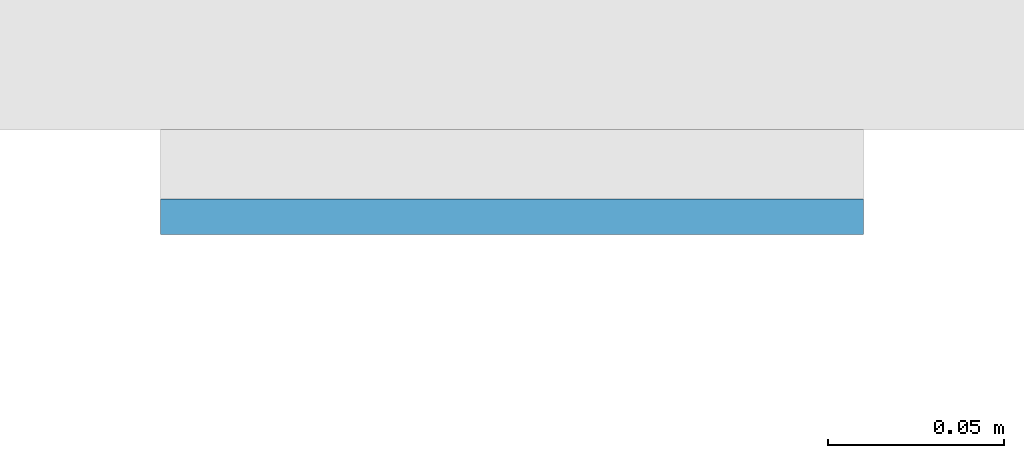
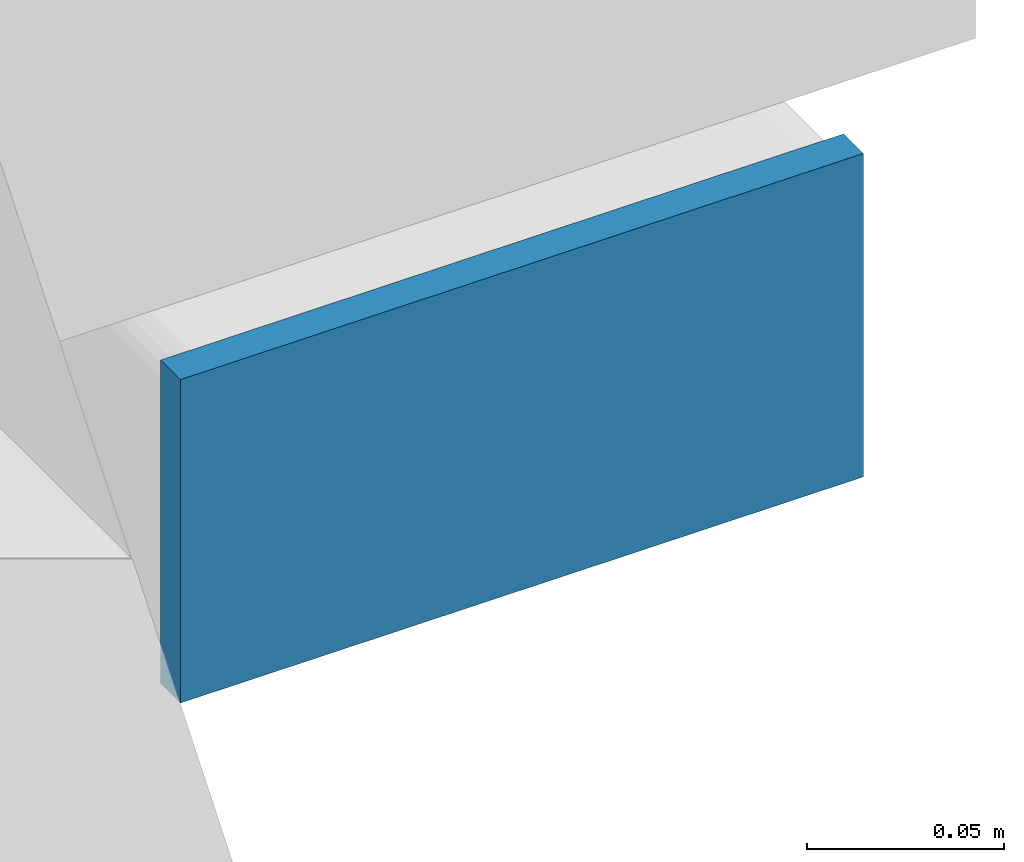
# One storey, part 7 of 15: 1 plate.
"""IFC4 building model written with IfcOpenShell, lengths in metres."""

import ifcopenshell
import ifcopenshell.guid

model = None  # the IFC model being written
_history = None  # IfcOwnerHistory: only IFC2X3 demands one
_inside = {}  # id of a spatial element -> (the spatial element, [elements in it])
_under = {}  # id of a project, library or spatial element -> (it, [spatial elements below it])
_declared = {}  # id of a project -> (the project, [libraries it declares])
_typed = {}  # id of a type object -> (the type object, [elements of that type])
_made_of = {}  # id of a material, layer set ... -> (it, [elements and type objects made of it])


def new_model(schema):
    """Start an empty IFC model of exactly this schema.

    Asked for "IFC4X3", IfcOpenShell would pick the latest addendum, in which some entities
    have other attributes; the version numbers below select the first issue.
    IFC2X3 requires an IfcOwnerHistory on every rooted entity: one is made here for all.
    """
    global model, _history
    if schema == "IFC4X3":
        model = ifcopenshell.file(schema_version=(4, 3, 0, 0))
    else:
        model = ifcopenshell.file(schema=schema)
    _inside.clear()
    _under.clear()
    _declared.clear()
    _typed.clear()
    _made_of.clear()
    _history = None
    if model.schema == "IFC2X3":
        org = make("IfcOrganization", Name="unknown")
        user = make(
            "IfcPersonAndOrganization",
            ThePerson=make("IfcPerson", FamilyName="unknown"),
            TheOrganization=org,
        )
        app = make(
            "IfcApplication",
            ApplicationDeveloper=org,
            Version="unknown",
            ApplicationFullName="unknown",
            ApplicationIdentifier="unknown",
        )
        _history = make(
            "IfcOwnerHistory",
            OwningUser=user,
            OwningApplication=app,
            ChangeAction="ADDED",
            CreationDate=0,
        )
    return model


def make(cls, **values):
    """One entity of the class cls with the attributes given. An attribute that is None is left unset."""
    return model.create_entity(
        cls, **{name: value for name, value in values.items() if value is not None}
    )


def rooted(cls, **values):
    """An entity with a GlobalId (a new one), such as an element, a storey or a relation."""
    return make(cls, GlobalId=ifcopenshell.guid.new(), OwnerHistory=_history, **values)


def si_unit(unit_type, name, prefix=None):
    """IfcSIUnit, for example si_unit("LENGTHUNIT", "METRE", prefix="MILLI")."""
    return make("IfcSIUnit", UnitType=unit_type, Prefix=prefix, Name=name)


def assignment(units):
    """IfcUnitAssignment: the units of a project."""
    return None if units is None else make("IfcUnitAssignment", Units=units)


def point(xyz):
    """IfcCartesianPoint."""
    return None if xyz is None else make("IfcCartesianPoint", Coordinates=xyz)


def direction(xyz):
    """IfcDirection."""
    return None if xyz is None else make("IfcDirection", DirectionRatios=xyz)


def frame(location, z_axis=None, x_axis=None):
    """IfcAxis2Placement3D, a coordinate frame: its origin and axes. An axis left out is left unset."""
    return make(
        "IfcAxis2Placement3D",
        Location=point(location),
        Axis=direction(z_axis),
        RefDirection=direction(x_axis),
    )


def frame_2d(location, x_axis=None):
    """IfcAxis2Placement2D, a coordinate frame in the plane: its origin and x axis."""
    return make(
        "IfcAxis2Placement2D", Location=point(location), RefDirection=direction(x_axis)
    )


def origin():
    """The frame at (0, 0, 0) with its axes left unset."""
    return frame((0.0, 0.0, 0.0))


def origin_2d():
    """The frame at (0, 0) in the plane with its x axis left unset."""
    return frame_2d((0.0, 0.0))


def place(relative_to, where):
    """IfcLocalPlacement: puts the frame where relative to a parent placement (None: the world)."""
    return make(
        "IfcLocalPlacement", PlacementRelTo=relative_to, RelativePlacement=where
    )


def context(
    kind, dimensions, precision=None, world=None, true_north=None, identifier=None
):
    """IfcGeometricRepresentationContext, for example the 3D "Model" context."""
    return make(
        "IfcGeometricRepresentationContext",
        ContextIdentifier=identifier,
        ContextType=kind,
        CoordinateSpaceDimension=dimensions,
        Precision=precision,
        WorldCoordinateSystem=world,
        TrueNorth=true_north,
    )


def subcontext(parent, identifier, kind, view, scale=None):
    """IfcGeometricRepresentationSubContext, for example "Body" below "Model"."""
    return make(
        "IfcGeometricRepresentationSubContext",
        ContextIdentifier=identifier,
        ContextType=kind,
        ParentContext=parent,
        TargetScale=scale,
        TargetView=view,
    )


def project(units=None, contexts=None):
    """IfcProject with its units and contexts."""
    return rooted(
        "IfcProject",
        Name="project",
        RepresentationContexts=contexts,
        UnitsInContext=assignment(units),
    )


def spatial(cls, under=None, at=None, **own):
    """A site, building, storey or space (cls), placed at a placement, below another one or the project."""
    s = rooted(cls, ObjectPlacement=at, **own)
    if under is not None:
        _under.setdefault(under.id(), (under, []))[1].append(s)
    return s


def profile(cls, at=None, kind="AREA", **sizes):
    """A parametric profile (cls). Its sizes go by their IFC names, for example OverallWidth=200.0."""
    return make(cls, ProfileType=kind, Position=at, **sizes)


def rectangle(**sizes):
    """IfcRectangleProfileDef."""
    return profile("IfcRectangleProfileDef", **sizes)


def extrude(swept, where, along, depth):
    """IfcExtrudedAreaSolid: the profile swept, set in the frame where, extruded along a direction by depth."""
    return make(
        "IfcExtrudedAreaSolid",
        SweptArea=swept,
        Position=where,
        ExtrudedDirection=direction(along),
        Depth=depth,
    )


def shape(context_of_items, identifier, shape_type, items):
    """IfcShapeRepresentation: the items that make up one representation, for example the "Body"."""
    return make(
        "IfcShapeRepresentation",
        ContextOfItems=context_of_items,
        RepresentationIdentifier=identifier,
        RepresentationType=shape_type,
        Items=items,
    )


def material(Name=None, Category=None):
    """IfcMaterial."""
    return make("IfcMaterial", Name=Name, Category=Category)


def layer(
    of_material, thickness, ventilated=None, Name=None, Category=None, Priority=None
):
    """IfcMaterialLayer: one layer of a wall or slab, of a material (None: an air gap)."""
    return make(
        "IfcMaterialLayer",
        Material=of_material,
        LayerThickness=thickness,
        IsVentilated=ventilated,
        Name=Name,
        Category=Category,
        Priority=Priority,
    )


def layer_set(layers, Name=None):
    """IfcMaterialLayerSet."""
    return make("IfcMaterialLayerSet", MaterialLayers=layers, LayerSetName=Name)


def made_of(thing, what):
    """Note that an element or type object is made of a material, layer set ...; save() writes the relation."""
    if what is not None:
        _made_of.setdefault(what.id(), (what, []))[1].append(thing)
    return thing


def type_object(cls, material=None, **own):
    """A type object (cls), such as IfcWallType, which elements share."""
    return made_of(rooted(cls, **own), material)


def element(
    cls,
    number,
    at=None,
    inside=None,
    cuts=None,
    type_object=None,
    material=None,
    context=None,
    identifier="Body",
    shape_type=None,
    held_by="IfcProductDefinitionShape",
    body=None,
    shapes=None,
    **own,
):
    """One element of the class cls, such as IfcWall. Its Tag is "e" and its number.

    at: its placement. inside: the storey or other place that contains it. cuts: it is an
    opening in that element (IfcRelVoidsElement). A single representation is given by context,
    identifier, shape_type and body (its items); several are given by shapes. held_by: the class
    of the entity that holds the representations. save() writes the other relations.
    """
    e = rooted(cls, Tag="e%d" % number, ObjectPlacement=at, **own)
    if body is not None:
        shapes = [shape(context, identifier, shape_type, body)]
    if shapes is not None:
        e.Representation = make(held_by, Representations=shapes)
    if inside is not None:
        _inside.setdefault(inside.id(), (inside, []))[1].append(e)
    if cuts is not None:
        rooted(
            "IfcRelVoidsElement", RelatingBuildingElement=cuts, RelatedOpeningElement=e
        )
    if type_object is not None:
        _typed.setdefault(type_object.id(), (type_object, []))[1].append(e)
    return made_of(e, material)


def aggregate(whole, parts):
    """IfcRelAggregates: a whole, such as a stair, and the parts it consists of."""
    return rooted("IfcRelAggregates", RelatingObject=whole, RelatedObjects=parts)


def save(model, path):
    """Write the relations noted so far, then the file.

    IfcRelAggregates (storeys below a building ...), IfcRelContainedInSpatialStructure (elements
    in a storey), IfcRelDefinesByType, IfcRelAssociatesMaterial and IfcRelDeclares: one each for
    every whole, place, type object, material and project.
    """
    for whole, parts in _under.values():
        aggregate(whole, parts)
    for where, things in _inside.values():
        rooted(
            "IfcRelContainedInSpatialStructure",
            RelatedElements=things,
            RelatingStructure=where,
        )
    for kind, things in _typed.values():
        rooted("IfcRelDefinesByType", RelatedObjects=things, RelatingType=kind)
    for what, things in _made_of.values():
        rooted("IfcRelAssociatesMaterial", RelatedObjects=things, RelatingMaterial=what)
    for by, libraries in _declared.values():
        rooted("IfcRelDeclares", RelatingContext=by, RelatedDefinitions=libraries)
    model.write(path)


model = new_model("IFC4")

# Units and contexts
model_context = context("Model", 3, precision=1e-05, world=origin(), true_north=direction((0.0, 1.0)))
body_context = subcontext(model_context, "Body", "Model", "MODEL_VIEW")
ifc_project = project(units=[si_unit("LENGTHUNIT", "METRE"), si_unit("AREAUNIT", "SQUARE_METRE"), si_unit("VOLUMEUNIT", "CUBIC_METRE"), si_unit("PLANEANGLEUNIT", "RADIAN"), si_unit("MASSUNIT", "GRAM", prefix="KILO")], contexts=[model_context])

# Site, building, storey
site_placement = place(None, origin())
site = spatial("IfcSite", under=ifc_project, at=site_placement, CompositionType="ELEMENT")
building_placement = place(site_placement, origin())
building = spatial("IfcBuilding", under=site, at=building_placement, Name="Cleftline Residences", CompositionType="ELEMENT")
storey_placement = place(building_placement, frame((0.0, 0.0, 221.800048828125)))
storey = spatial("IfcBuildingStorey", under=building, at=storey_placement, Name="L58", CompositionType="ELEMENT", Elevation=221.800048828125)

# Plate
ifc_material = material(Name="Steel S355, hot-dip galvanised", Category="steel")
ifc_layer = layer(ifc_material, 0.010009765625)
ifc_layer_set = layer_set([ifc_layer], Name="BAGUETTE CARRIER END PLATE 200X100X10")
plate_type = type_object("IfcPlateType", Name="BAGUETTE CARRIER END PLATE 200X100X10", PredefinedType="USERDEFINED", material=ifc_layer_set)
plate_placement = place(storey_placement, frame((66.85009765625, 3.695068359375, -0.10009765625), z_axis=(0.0, 0.0, 1.0), x_axis=(1.0, 0.0, 0.0)))
element("IfcPlate", 1, at=plate_placement, inside=storey, type_object=plate_type, Name="Baguette carrier end plate", ObjectType="BAGUETTE CARRIER END PLATE", PredefinedType="USERDEFINED", context=body_context, shape_type="SweptSolid", body=[
    extrude(rectangle(XDim=0.199951171875, YDim=0.010009765625, at=origin_2d()), origin(), (0.0, 0.0, 1.0), 0.10009765625),
])

save(model, "model.ifc")
